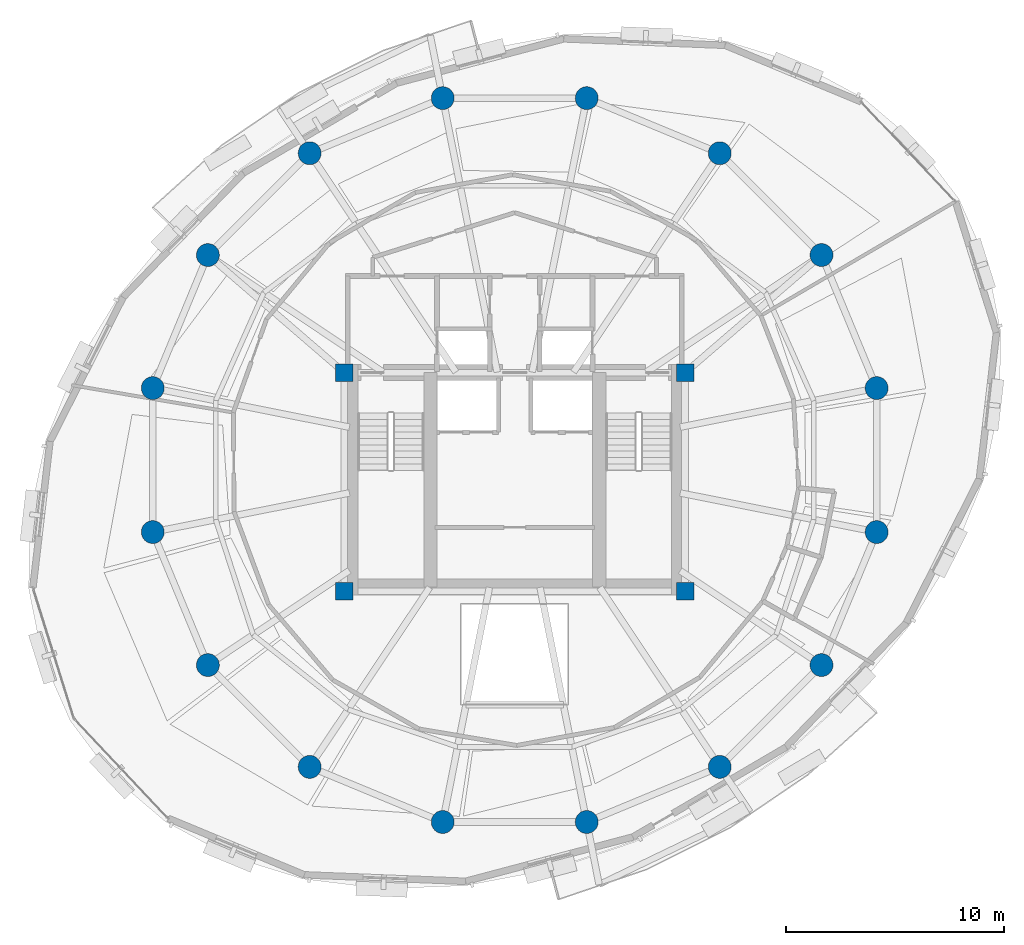
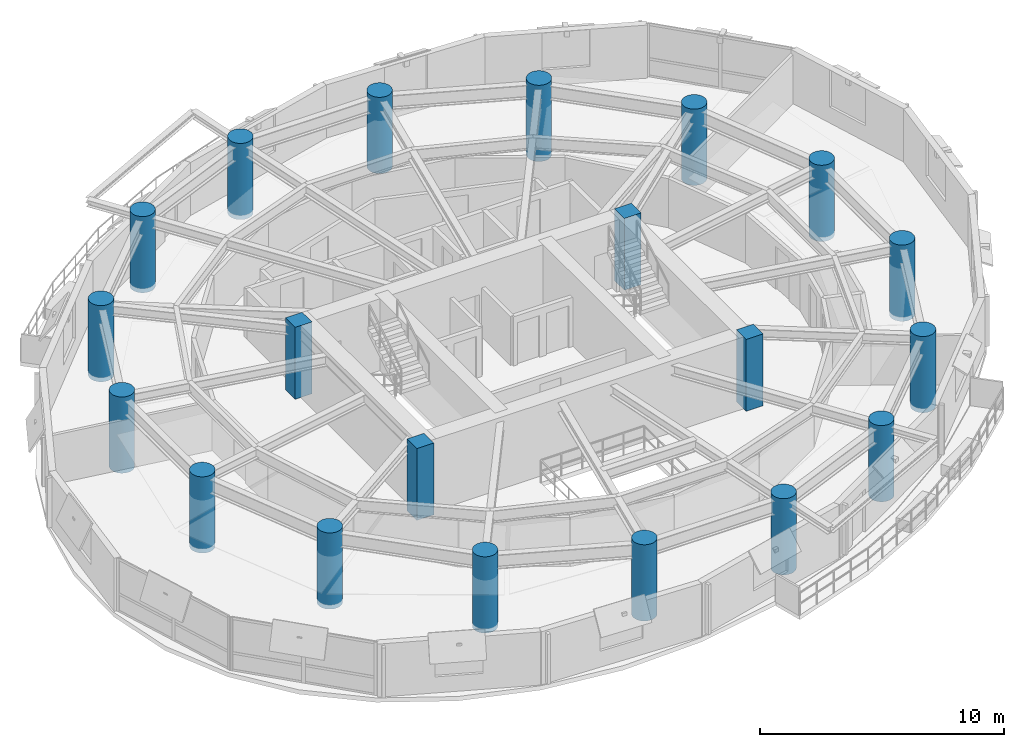
# One storey, part 1 of 14: 20 columns.
"""IFC4 building model written with IfcOpenShell, lengths in metres."""

from ifc_helpers import new_model, si_unit, direction, frame, origin, origin_2d, place, context, subcontext, project, spatial, rectangle, circle, extrude, material, material_profile, profile_set, type_object, element, save


model = new_model("IFC4")

# Units and contexts
model_context = context("Model", 3, precision=1e-05, world=origin(), true_north=direction((0.0, 1.0)))
body_context = subcontext(model_context, "Body", "Model", "MODEL_VIEW")
ifc_project = project(units=[si_unit("LENGTHUNIT", "METRE"), si_unit("AREAUNIT", "SQUARE_METRE"), si_unit("VOLUMEUNIT", "CUBIC_METRE"), si_unit("PLANEANGLEUNIT", "RADIAN"), si_unit("MASSUNIT", "GRAM", prefix="KILO"), si_unit("THERMODYNAMICTEMPERATUREUNIT", "KELVIN"), si_unit("POWERUNIT", "WATT")], contexts=[model_context])

# Site, building, storey
site_placement = place(None, origin())
site = spatial("IfcSite", under=ifc_project, at=site_placement, CompositionType="ELEMENT")
building_placement = place(site_placement, origin())
building = spatial("IfcBuilding", under=site, at=building_placement, Name="Ocrelia Relay Tower", CompositionType="ELEMENT")
storey_placement = place(building_placement, frame((0.0, 0.0, 162.800048828125)))
storey = spatial("IfcBuildingStorey", under=building, at=storey_placement, Name="L38", CompositionType="ELEMENT", Elevation=162.800048828125)

# Columns
ifc_material = material(Name="Concrete C60/75", Category="concrete")
ifc_material_profile_1 = material_profile(ifc_material, circle(Radius=0.52490234375, at=origin_2d()), Name="RC-CIR-1050")
ifc_profile_set_1 = profile_set([ifc_material_profile_1], Name="Concrete C60/75")
column_type_1 = type_object("IfcColumnType", Name="COL-CT-1050", PredefinedType="COLUMN", material=ifc_profile_set_1)
for number, where, z_axis, x_axis, name in (
    (1, (50.5751953125, 29.297119140625, -0.219970703125), (0.0, 0.0, 1.0), (1.0, 0.0, 0.0), "L38 Perimeter Ring Column C01"),
    (2, (48.0517578125, 35.38916015625, -0.219970703125), (0.0, 0.0, 1.0), (1.0, 0.0, 0.0), "L38 Perimeter Ring Column C02"),
    (3, (43.38916015625, 40.0517578125, -0.219970703125), (0.0, 0.0, 1.0), (1.0, 0.0, 0.0), "L38 Perimeter Ring Column C03"),
    (4, (37.297119140625, 42.5751953125, -0.219970703125), (0.0, 0.0, 1.0), (1.0, 0.0, 0.0), "L38 Perimeter Ring Column C04"),
    (5, (30.702880859375, 42.5751953125, -0.219970703125), (0.0, 0.0, 1.0), (1.0, 0.0, 0.0), "L38 Perimeter Ring Column C05"),
    (6, (24.61083984375, 40.0517578125, -0.219970703125), (0.0, 0.0, 1.0), (1.0, 0.0, 0.0), "L38 Perimeter Ring Column C06"),
    (7, (19.9482421875, 35.38916015625, -0.219970703125), (0.0, 0.0, 1.0), (1.0, 0.0, 0.0), "L38 Perimeter Ring Column C07"),
    (8, (17.4248046875, 29.297119140625, -0.219970703125), (0.0, 0.0, 1.0), (1.0, 0.0, 0.0), "L38 Perimeter Ring Column C08"),
    (9, (17.4248046875, 22.702880859375, -0.219970703125), (0.0, 0.0, 1.0), (1.0, 0.0, 0.0), "L38 Perimeter Ring Column C09"),
    (10, (19.9482421875, 16.61083984375, -0.219970703125), (0.0, 0.0, 1.0), (1.0, 0.0, 0.0), "L38 Perimeter Ring Column C10"),
    (11, (24.61083984375, 11.9482421875, -0.219970703125), (0.0, 0.0, 1.0), (1.0, 0.0, 0.0), "L38 Perimeter Ring Column C11"),
    (12, (30.702880859375, 9.4248046875, -0.219970703125), (0.0, 0.0, 1.0), (1.0, 0.0, 0.0), "L38 Perimeter Ring Column C12"),
    (13, (37.297119140625, 9.4248046875, -0.219970703125), (0.0, 0.0, 1.0), (1.0, 0.0, 0.0), "L38 Perimeter Ring Column C13"),
    (14, (43.38916015625, 11.9482421875, -0.219970703125), (0.0, 0.0, 1.0), (1.0, 0.0, 0.0), "L38 Perimeter Ring Column C14"),
    (15, (48.0517578125, 16.61083984375, -0.219970703125), (0.0, 0.0, 1.0), (1.0, 0.0, 0.0), "L38 Perimeter Ring Column C15"),
    (16, (50.5751953125, 22.702880859375, -0.219970703125), (0.0, 0.0, 1.0), (1.0, 0.0, 0.0), "L38 Perimeter Ring Column C16"),
):
    element("IfcColumn", number, at=place(storey_placement, frame(where, z_axis=z_axis, x_axis=x_axis)), inside=storey, type_object=column_type_1, Name=name, PredefinedType="COLUMN", context=body_context, shape_type="SweptSolid", body=[
        extrude(circle(Radius=0.52490234375, at=origin_2d()), origin(), (0.0, 0.0, 1.0), 3.81982421875),
    ])
ifc_material_profile_2 = material_profile(ifc_material, rectangle(XDim=0.800048828125, YDim=0.800048828125, at=origin_2d()), Name="RC-COL-800x800")
ifc_profile_set_2 = profile_set([ifc_material_profile_2], Name="Concrete C60/75")
column_type_2 = type_object("IfcColumnType", Name="COL-PILASTER-800", PredefinedType="PILASTER", material=ifc_profile_set_2)
for number, where, z_axis, x_axis, name in (
    (17, (26.199951171875, 20.0, 0.0), (0.0, 0.0, 1.0), (1.0, 0.0, 0.0), "L38 Core Corner Pilaster SW"),
    (18, (41.800048828125, 20.0, 0.0), (0.0, 0.0, 1.0), (1.0, 0.0, 0.0), "L38 Core Corner Pilaster SE"),
    (19, (26.199951171875, 30.0, 0.0), (0.0, 0.0, 1.0), (1.0, 0.0, 0.0), "L38 Core Corner Pilaster NW"),
    (20, (41.800048828125, 30.0, 0.0), (0.0, 0.0, 1.0), (1.0, 0.0, 0.0), "L38 Core Corner Pilaster NE"),
):
    element("IfcColumn", number, at=place(storey_placement, frame(where, z_axis=z_axis, x_axis=x_axis)), inside=storey, type_object=column_type_2, Name=name, PredefinedType="PILASTER", context=body_context, shape_type="SweptSolid", body=[
        extrude(rectangle(XDim=0.800048828125, YDim=0.800048828125, at=origin_2d()), origin(), (0.0, 0.0, 1.0), 3.599853515625),
    ])

save(model, "model.ifc")
